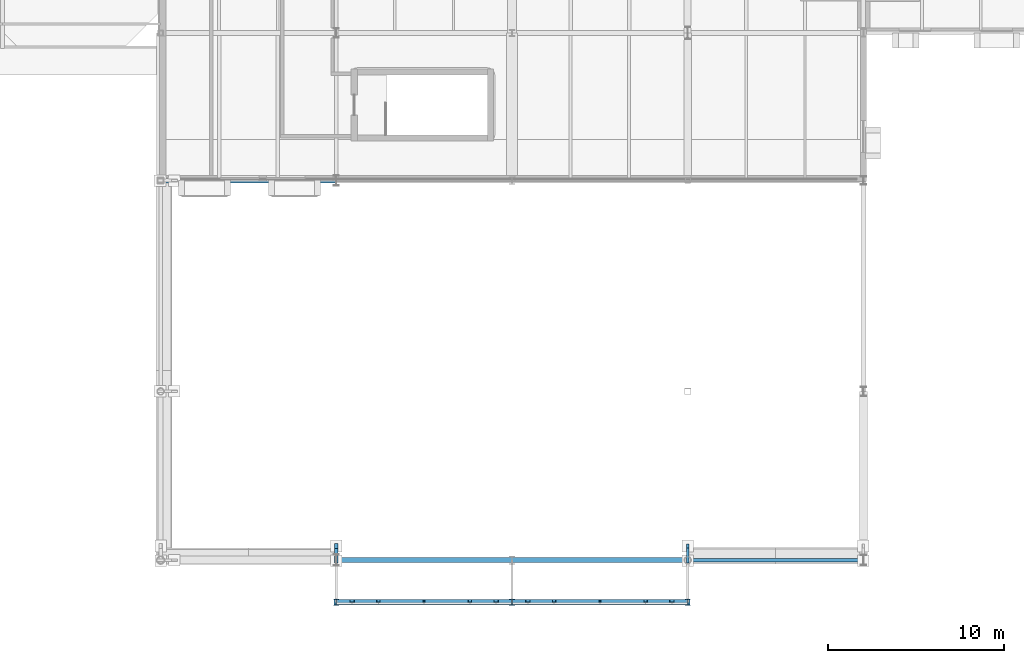
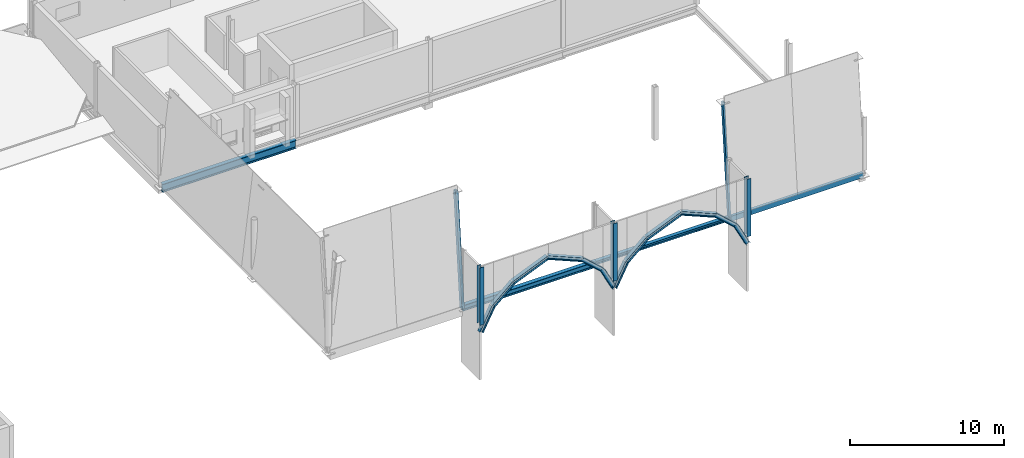
# One storey, part 39 of 90: 17 members, 4 beams.
"""IFC4 building model written with IfcOpenShell, lengths in metres."""

from ifc_helpers import new_model, si_unit, direction, frame, origin, origin_2d, place, context, subcontext, project, spatial, hollow_rectangle, i_section, extrude, material, material_profile, profile_set, type_object, element, save


model = new_model("IFC4")

# Units and contexts
model_context = context("Model", 3, precision=1e-05, world=origin(), true_north=direction((0.0, 1.0)))
body_context = subcontext(model_context, "Body", "Model", "MODEL_VIEW")
ifc_project = project(units=[si_unit("LENGTHUNIT", "METRE"), si_unit("AREAUNIT", "SQUARE_METRE"), si_unit("VOLUMEUNIT", "CUBIC_METRE"), si_unit("PLANEANGLEUNIT", "RADIAN"), si_unit("MASSUNIT", "GRAM", prefix="KILO")], contexts=[model_context])

# Site, building, storey
site_placement = place(None, origin())
site = spatial("IfcSite", under=ifc_project, at=site_placement, CompositionType="ELEMENT")
building_placement = place(site_placement, origin())
building = spatial("IfcBuilding", under=site, at=building_placement, Name="Zereglee Splitstone Museum", CompositionType="ELEMENT")
storey_placement = place(building_placement, frame((0.0, 0.0, 4.800048828125)))
storey = spatial("IfcBuildingStorey", under=building, at=storey_placement, Name="L01", CompositionType="ELEMENT", Elevation=4.800048828125)

# Members
ifc_material_1 = material(Name="Steel S355J2", Category="steel")
ifc_material_profile_1 = material_profile(ifc_material_1, i_section(OverallWidth=0.300048828125, OverallDepth=0.300048828125, WebThickness=0.010986328125, FlangeThickness=0.01904296875, FilletRadius=0.027099609375, at=origin_2d()), Name="HE 300 B")
ifc_profile_set_1 = profile_set([ifc_material_profile_1], Name="Steel S355J2")
member_type_1 = type_object("IfcMemberType", Name="TC-08", PredefinedType="CHORD", material=ifc_profile_set_1)
member_1_placement = place(storey_placement, frame((266.0, -2.39990234375, -1.0), z_axis=(0.454448380704, 0.0, 0.890773073951), x_axis=(0.0, 1.0, 0.0)))
element("IfcMember", 1, at=member_1_placement, inside=storey, type_object=member_type_1, Name="Mughal Four-Centred Pointed Arch Rib PSQ-SV5-1-1", PredefinedType="CHORD", context=body_context, shape_type="SweptSolid", body=[
    extrude(i_section(OverallWidth=0.300048828125, OverallDepth=0.300048828125, WebThickness=0.010986328125, FlangeThickness=0.01904296875, FilletRadius=0.027099609375, at=origin_2d()), origin(), (0.0, 0.0, 1.0), 1.980224609375),
])
member_2_placement = place(storey_placement, frame((266.89990234375, -2.39990234375, 0.763916015625), z_axis=(0.744775087592, 0.0, 0.667315569205), x_axis=(0.0, 1.0, 0.0)))
element("IfcMember", 2, at=member_2_placement, inside=storey, type_object=member_type_1, Name="Mughal Four-Centred Pointed Arch Rib PSQ-SV5-1-2", PredefinedType="CHORD", context=body_context, shape_type="SweptSolid", body=[
    extrude(i_section(OverallWidth=0.300048828125, OverallDepth=0.300048828125, WebThickness=0.010986328125, FlangeThickness=0.01904296875, FilletRadius=0.027099609375, at=origin_2d()), origin(), (0.0, 0.0, 1.0), 2.013916015625),
])
for number, where, z_axis, x_axis, name in (
    (3, (268.39990234375, -2.39990234375, 2.10791015625), (0.921982105607, 0.0, 0.387232484355), (0.0, 1.0, 0.0), "Mughal Four-Centred Pointed Arch Rib PSQ-SV5-1-3"),
    (4, (271.0, -2.39990234375, 3.199951171875), (0.921982105607, 0.0, -0.387232484355), (0.0, 1.0, 0.0), "Mughal Four-Centred Pointed Arch Rib PSQ-SV5-1-4"),
):
    element("IfcMember", number, at=place(storey_placement, frame(where, z_axis=z_axis, x_axis=x_axis)), inside=storey, type_object=member_type_1, Name=name, PredefinedType="CHORD", context=body_context, shape_type="SweptSolid", body=[
        extrude(i_section(OverallWidth=0.300048828125, OverallDepth=0.300048828125, WebThickness=0.010986328125, FlangeThickness=0.01904296875, FilletRadius=0.027099609375, at=origin_2d()), origin(), (0.0, 0.0, 1.0), 2.820068359375),
    ])
member_3_placement = place(storey_placement, frame((273.60009765625, -2.39990234375, 2.10791015625), z_axis=(0.744775087592, 0.0, -0.667315569205), x_axis=(0.0, 1.0, 0.0)))
element("IfcMember", 5, at=member_3_placement, inside=storey, type_object=member_type_1, Name="Mughal Four-Centred Pointed Arch Rib PSQ-SV5-1-5", PredefinedType="CHORD", context=body_context, shape_type="SweptSolid", body=[
    extrude(i_section(OverallWidth=0.300048828125, OverallDepth=0.300048828125, WebThickness=0.010986328125, FlangeThickness=0.01904296875, FilletRadius=0.027099609375, at=origin_2d()), origin(), (0.0, 0.0, 1.0), 2.013916015625),
])
for number, where, z_axis, x_axis, name in (
    (6, (275.10009765625, -2.39990234375, 0.763916015625), (0.454448380704, 0.0, -0.890773073951), (0.0, 1.0, 0.0), "Mughal Four-Centred Pointed Arch Rib PSQ-SV5-1-6"),
    (7, (276.0, -2.39990234375, -1.0), (0.454448380704, 0.0, 0.890773073951), (0.0, 1.0, 0.0), "Mughal Four-Centred Pointed Arch Rib PSQ-SV5-2-1"),
):
    element("IfcMember", number, at=place(storey_placement, frame(where, z_axis=z_axis, x_axis=x_axis)), inside=storey, type_object=member_type_1, Name=name, PredefinedType="CHORD", context=body_context, shape_type="SweptSolid", body=[
        extrude(i_section(OverallWidth=0.300048828125, OverallDepth=0.300048828125, WebThickness=0.010986328125, FlangeThickness=0.01904296875, FilletRadius=0.027099609375, at=origin_2d()), origin(), (0.0, 0.0, 1.0), 1.980224609375),
    ])
member_4_placement = place(storey_placement, frame((276.89990234375, -2.39990234375, 0.763916015625), z_axis=(0.744775087592, 0.0, 0.667315569205), x_axis=(0.0, 1.0, 0.0)))
element("IfcMember", 8, at=member_4_placement, inside=storey, type_object=member_type_1, Name="Mughal Four-Centred Pointed Arch Rib PSQ-SV5-2-2", PredefinedType="CHORD", context=body_context, shape_type="SweptSolid", body=[
    extrude(i_section(OverallWidth=0.300048828125, OverallDepth=0.300048828125, WebThickness=0.010986328125, FlangeThickness=0.01904296875, FilletRadius=0.027099609375, at=origin_2d()), origin(), (0.0, 0.0, 1.0), 2.013916015625),
])
for number, where, z_axis, x_axis, name in (
    (9, (278.39990234375, -2.39990234375, 2.10791015625), (0.921982105607, 0.0, 0.387232484355), (0.0, 1.0, 0.0), "Mughal Four-Centred Pointed Arch Rib PSQ-SV5-2-3"),
    (10, (281.0, -2.39990234375, 3.199951171875), (0.921982105607, 0.0, -0.387232484355), (0.0, 1.0, 0.0), "Mughal Four-Centred Pointed Arch Rib PSQ-SV5-2-4"),
):
    element("IfcMember", number, at=place(storey_placement, frame(where, z_axis=z_axis, x_axis=x_axis)), inside=storey, type_object=member_type_1, Name=name, PredefinedType="CHORD", context=body_context, shape_type="SweptSolid", body=[
        extrude(i_section(OverallWidth=0.300048828125, OverallDepth=0.300048828125, WebThickness=0.010986328125, FlangeThickness=0.01904296875, FilletRadius=0.027099609375, at=origin_2d()), origin(), (0.0, 0.0, 1.0), 2.820068359375),
    ])
member_5_placement = place(storey_placement, frame((283.60009765625, -2.39990234375, 2.10791015625), z_axis=(0.744775087592, 0.0, -0.667315569205), x_axis=(0.0, 1.0, 0.0)))
element("IfcMember", 11, at=member_5_placement, inside=storey, type_object=member_type_1, Name="Mughal Four-Centred Pointed Arch Rib PSQ-SV5-2-5", PredefinedType="CHORD", context=body_context, shape_type="SweptSolid", body=[
    extrude(i_section(OverallWidth=0.300048828125, OverallDepth=0.300048828125, WebThickness=0.010986328125, FlangeThickness=0.01904296875, FilletRadius=0.027099609375, at=origin_2d()), origin(), (0.0, 0.0, 1.0), 2.013916015625),
])
member_6_placement = place(storey_placement, frame((285.10009765625, -2.39990234375, 0.763916015625), z_axis=(0.454448380704, 0.0, -0.890773073951), x_axis=(0.0, 1.0, 0.0)))
element("IfcMember", 12, at=member_6_placement, inside=storey, type_object=member_type_1, Name="Mughal Four-Centred Pointed Arch Rib PSQ-SV5-2-6", PredefinedType="CHORD", context=body_context, shape_type="SweptSolid", body=[
    extrude(i_section(OverallWidth=0.300048828125, OverallDepth=0.300048828125, WebThickness=0.010986328125, FlangeThickness=0.01904296875, FilletRadius=0.027099609375, at=origin_2d()), origin(), (0.0, 0.0, 1.0), 1.980224609375),
])
ifc_material_profile_2 = material_profile(ifc_material_1, i_section(OverallWidth=0.300048828125, OverallDepth=0.360107421875, WebThickness=0.012451171875, FlangeThickness=0.0224609375, FilletRadius=0.027099609375, at=origin_2d()), Name="HE 360 B")
ifc_profile_set_2 = profile_set([ifc_material_profile_2], Name="Steel S355J2")
member_type_2 = type_object("IfcMemberType", Name="TC-06", PredefinedType="CHORD", material=ifc_profile_set_2)
for number, where, z_axis, x_axis, name in (
    (13, (266.0, -2.39990234375, -0.35009765625), (0.0, 0.0, 1.0), (1.0, 0.0, 0.0), "Mughal Guldasta Hovering Portal Pier G16 L01"),
    (14, (276.0, -2.39990234375, -0.35009765625), (0.0, 0.0, 1.0), (1.0, 0.0, 0.0), "Mughal Guldasta Hovering Portal Pier G17 L01"),
    (15, (286.0, -2.39990234375, -0.35009765625), (0.0, 0.0, 1.0), (1.0, 0.0, 0.0), "Mughal Guldasta Hovering Portal Pier G18 L01"),
):
    element("IfcMember", number, at=place(storey_placement, frame(where, z_axis=z_axis, x_axis=x_axis)), inside=storey, type_object=member_type_2, Name=name, PredefinedType="CHORD", context=body_context, shape_type="SweptSolid", body=[
        extrude(i_section(OverallWidth=0.300048828125, OverallDepth=0.360107421875, WebThickness=0.012451171875, FlangeThickness=0.0224609375, FilletRadius=0.027099609375, at=origin_2d()), origin(), (0.0, 0.0, 1.0), 4.550048828125),
    ])

# Beams
ifc_material_profile_3 = material_profile(ifc_material_1, i_section(OverallWidth=0.300048828125, OverallDepth=0.64990234375, WebThickness=0.01611328125, FlangeThickness=0.031005859375, FilletRadius=0.027099609375, at=origin_2d()), Name="HE 650 B")
ifc_profile_set_3 = profile_set([ifc_material_profile_3], Name="Steel S355J2")
beam_type_1 = type_object("IfcBeamType", Name="BG-09", PredefinedType="BEAM", material=ifc_profile_set_3)
beam_1_placement = place(storey_placement, frame((256.0, 21.60009765625, -0.625), z_axis=(1.0, 0.0, 0.0), x_axis=(0.0, 1.0, 0.0)))
element("IfcBeam", 16, at=beam_1_placement, inside=storey, type_object=beam_type_1, Name="Primary Girder L01 C (256.0-266.0)", PredefinedType="BEAM", context=body_context, shape_type="SweptSolid", body=[
    extrude(i_section(OverallWidth=0.300048828125, OverallDepth=0.64990234375, WebThickness=0.01611328125, FlangeThickness=0.031005859375, FilletRadius=0.027099609375, at=origin_2d()), origin(), (0.0, 0.0, 1.0), 10.0),
])
ifc_material_profile_4 = material_profile(ifc_material_1, i_section(OverallWidth=0.280029296875, OverallDepth=0.280029296875, WebThickness=0.010498046875, FlangeThickness=0.01806640625, FilletRadius=0.02392578125, at=origin_2d()), Name="HE 280 B")
ifc_profile_set_4 = profile_set([ifc_material_profile_4], Name="Steel S355J2")
beam_type_2 = type_object("IfcBeamType", Name="SP-03", PredefinedType="SPANDREL", material=ifc_profile_set_4)
beam_2_placement = place(storey_placement, frame((276.0, 0.0, -0.43994140625), z_axis=(1.0, 0.0, 0.0), x_axis=(0.0, 1.0, 0.0)))
element("IfcBeam", 17, at=beam_2_placement, inside=storey, type_object=beam_type_2, Name="Primary Girder L01 A (276.0-286.0)", PredefinedType="SPANDREL", context=body_context, shape_type="SweptSolid", body=[
    extrude(i_section(OverallWidth=0.280029296875, OverallDepth=0.280029296875, WebThickness=0.010498046875, FlangeThickness=0.01806640625, FilletRadius=0.02392578125, at=origin_2d()), origin(), (0.0, 0.0, 1.0), 10.0),
])
ifc_material_profile_5 = material_profile(ifc_material_1, i_section(OverallWidth=0.300048828125, OverallDepth=0.449951171875, WebThickness=0.013916015625, FlangeThickness=0.02587890625, FilletRadius=0.027099609375, at=origin_2d()), Name="HE 450 B")
ifc_profile_set_5 = profile_set([ifc_material_profile_5], Name="Steel S355J2")
beam_type_3 = type_object("IfcBeamType", Name="SP-02", PredefinedType="SPANDREL", material=ifc_profile_set_5)
beam_3_placement = place(storey_placement, frame((266.0, 0.0, -0.525146484375), z_axis=(1.0, 0.0, 0.0), x_axis=(0.0, 1.0, 0.0)))
element("IfcBeam", 18, at=beam_3_placement, inside=storey, type_object=beam_type_3, Name="Primary Girder L01 A (266.0-276.0)", PredefinedType="SPANDREL", context=body_context, shape_type="SweptSolid", body=[
    extrude(i_section(OverallWidth=0.300048828125, OverallDepth=0.449951171875, WebThickness=0.013916015625, FlangeThickness=0.02587890625, FilletRadius=0.027099609375, at=origin_2d()), origin(), (0.0, 0.0, 1.0), 10.0),
])
ifc_material_2 = material(Name="Steel S355J2H", Category="steel")
ifc_material_profile_6 = material_profile(ifc_material_2, hollow_rectangle(XDim=0.199951171875, YDim=0.39990234375, WallThickness=0.01611328125, at=origin_2d()), Name="RHS 400x200x16")
ifc_profile_set_6 = profile_set([ifc_material_profile_6], Name="Steel S355J2H")
beam_type_4 = type_object("IfcBeamType", Name="SP-04", PredefinedType="SPANDREL", material=ifc_profile_set_6)
beam_4_placement = place(storey_placement, frame((286.0, 0.0, -0.5), z_axis=(1.0, 0.0, 0.0), x_axis=(0.0, 1.0, 0.0)))
element("IfcBeam", 19, at=beam_4_placement, inside=storey, type_object=beam_type_4, Name="Primary Girder L01 A (286.0-296.0)", PredefinedType="SPANDREL", context=body_context, shape_type="SweptSolid", body=[
    extrude(hollow_rectangle(XDim=0.199951171875, YDim=0.39990234375, WallThickness=0.01611328125, at=origin_2d()), origin(), (0.0, 0.0, 1.0), 10.0),
])

# Members
ifc_material_profile_7 = material_profile(ifc_material_2, hollow_rectangle(XDim=0.14990234375, YDim=0.25, WallThickness=0.010009765625, at=origin_2d()), Name="RHS 250x150x10")
ifc_profile_set_7 = profile_set([ifc_material_profile_7], Name="Steel S355J2H")
member_type_3 = type_object("IfcMemberType", Name="FS-R2", PredefinedType="STRUT", material=ifc_profile_set_7)
member_7_placement = place(storey_placement, frame((286.0, -0.028076171875, -0.550048828125), z_axis=(0.0, 0.093511255859, 0.995618222527), x_axis=(-1.0, 0.0, 0.0)))
element("IfcMember", 20, at=member_7_placement, inside=storey, type_object=member_type_3, Name="Split-Rock Continuous Facet Strut FH-V5SE L01-01", PredefinedType="STRUT", context=body_context, shape_type="SweptSolid", body=[
    extrude(hollow_rectangle(XDim=0.14990234375, YDim=0.25, WallThickness=0.010009765625, at=origin_2d()), origin(), (0.0, 0.0, 1.0), 8.868896484375),
])
ifc_material_profile_8 = material_profile(ifc_material_2, hollow_rectangle(XDim=0.199951171875, YDim=0.300048828125, WallThickness=0.012451171875, at=origin_2d()), Name="RHS 300x200x12.5")
ifc_profile_set_8 = profile_set([ifc_material_profile_8], Name="Steel S355J2H")
member_type_4 = type_object("IfcMemberType", Name="FS-R1", PredefinedType="STRUT", material=ifc_profile_set_8)
member_8_placement = place(storey_placement, frame((266.0, -0.028076171875, -0.550048828125), z_axis=(0.0, 0.093511255859, 0.995618222527), x_axis=(-1.0, 0.0, 0.0)))
element("IfcMember", 21, at=member_8_placement, inside=storey, type_object=member_type_4, Name="Split-Rock Continuous Facet Strut FH-V5S L01-02", PredefinedType="STRUT", context=body_context, shape_type="SweptSolid", body=[
    extrude(hollow_rectangle(XDim=0.199951171875, YDim=0.300048828125, WallThickness=0.012451171875, at=origin_2d()), origin(), (0.0, 0.0, 1.0), 8.868896484375),
])

save(model, "model.ifc")
